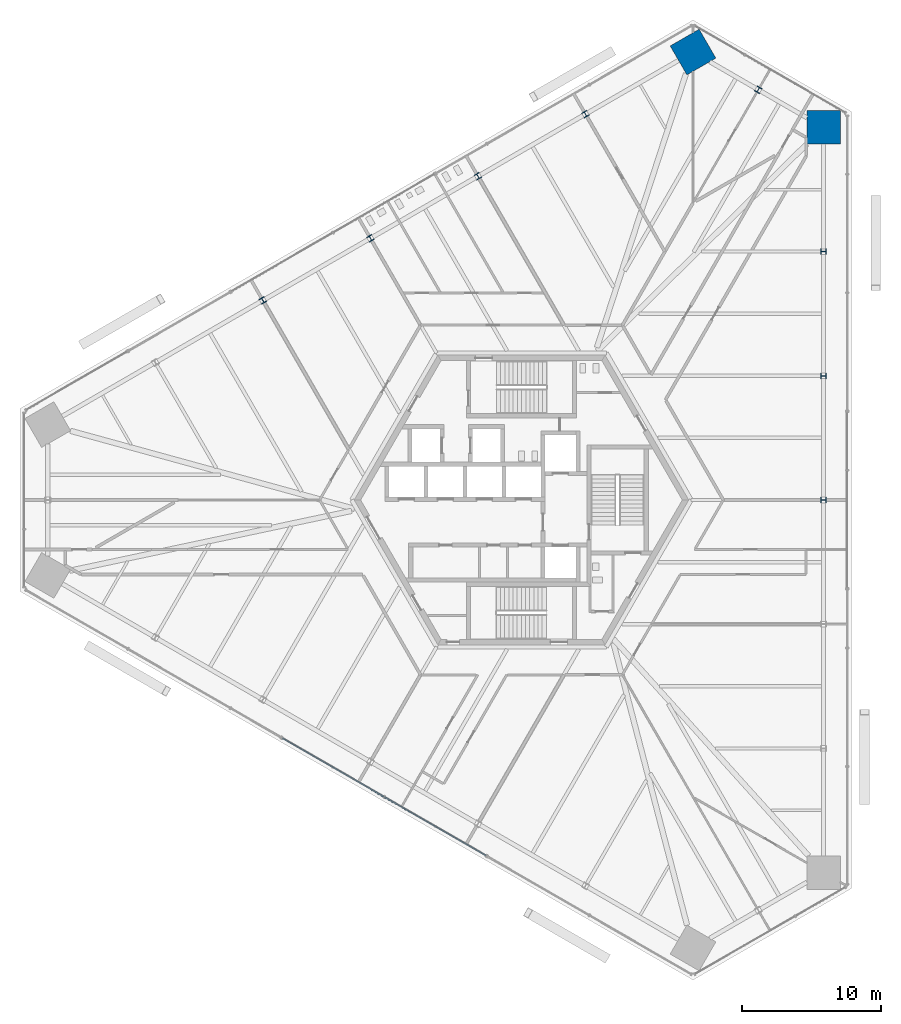
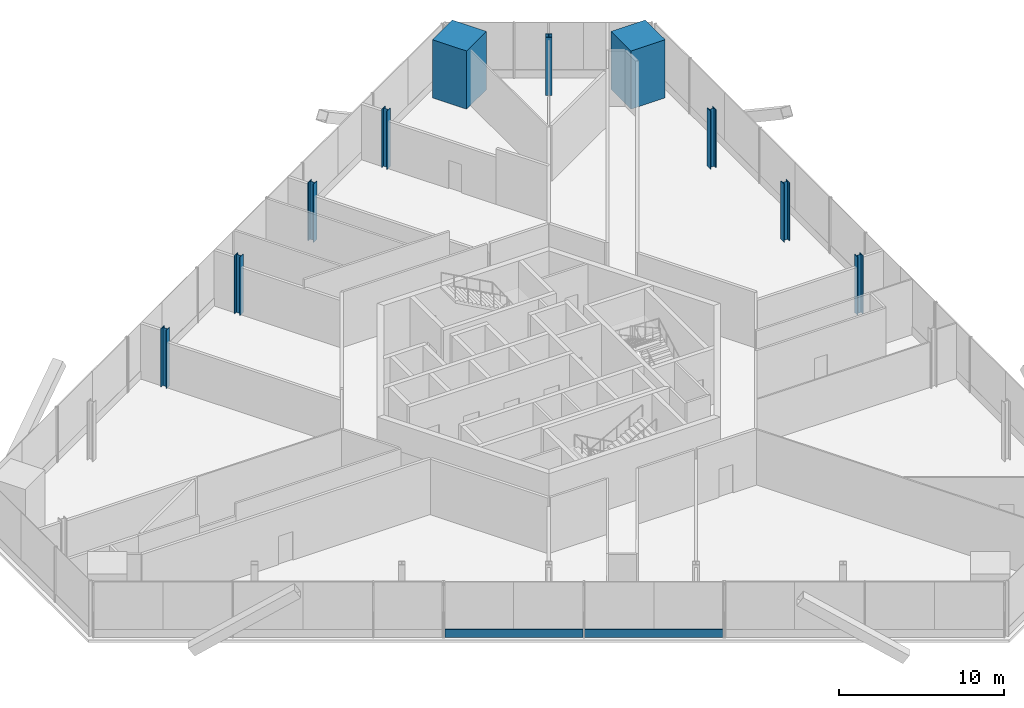
# One storey, part 2 of 16: 10 columns, 2 members, 1 element without a shape of its own.
"""IFC4 building model written with IfcOpenShell, lengths in metres."""

from ifc_helpers import new_model, si_unit, direction, frame, origin, origin_2d, place, context, subcontext, project, spatial, rectangle, i_section, extrude, source, transform, mapped, material, material_profile, profile_set, type_object, element, aggregate, save


model = new_model("IFC4")

# Units and contexts
model_context = context("Model", 3, precision=1e-05, world=origin(), true_north=direction((0.0, 1.0)))
body_context = subcontext(model_context, "Body", "Model", "MODEL_VIEW")
ifc_project = project(units=[si_unit("LENGTHUNIT", "METRE"), si_unit("AREAUNIT", "SQUARE_METRE"), si_unit("VOLUMEUNIT", "CUBIC_METRE"), si_unit("PLANEANGLEUNIT", "RADIAN"), si_unit("MASSUNIT", "GRAM", prefix="KILO")], contexts=[model_context])

# Site, building, storey
site_placement = place(None, origin())
site = spatial("IfcSite", under=ifc_project, at=site_placement, CompositionType="ELEMENT")
building_placement = place(site_placement, origin())
building = spatial("IfcBuilding", under=site, at=building_placement, Name="Triune Harvest Tower", CompositionType="ELEMENT")
storey_placement = place(building_placement, frame((0.0, 0.0, 20.300048828125)))
storey = spatial("IfcBuildingStorey", under=building, at=storey_placement, Name="L04", CompositionType="ELEMENT", Elevation=20.300048828125)

# Columns
ifc_material_1 = material(Name="Concrete 70 MPa", Category="concrete")
ifc_material_profile_1 = material_profile(ifc_material_1, rectangle(XDim=2.39990234375, YDim=2.39990234375, at=origin_2d()), Name="Composite 2400x2400")
ifc_profile_set_1 = profile_set([ifc_material_profile_1], Name="Concrete 70 MPa")
column_type_1 = type_object("IfcColumnType", Name="MC-1 Mega column Composite 2400x2400", PredefinedType="COLUMN", material=ifc_profile_set_1)
shared_shape_1 = source(origin(), body_context, "Body", "SweptSolid", [
    extrude(rectangle(XDim=2.39990234375, YDim=2.39990234375, at=origin_2d()), origin(), (0.0, 0.0, 1.0), 4.300048828125),
])
for number, where, z_axis, x_axis, name in (
    (1, (21.679443359375, 26.72998046875, 0.0), (0.0, 0.0, 1.0), (0.0, 1.0, 0.0), "col/L04/M6"),
    (2, (12.30908203125, 32.139892578125, 0.0), (0.0, 0.0, 1.0), (-0.866025403784, -0.5, 0.0), "col/L04/M8"),
):
    element("IfcColumn", number, at=place(storey_placement, frame(where, z_axis=z_axis, x_axis=x_axis)), inside=storey, type_object=column_type_1, Name=name, PredefinedType="COLUMN", context=body_context, shape_type="MappedRepresentation", body=[
        mapped(shared_shape_1, transform((0.0, 0.0, 0.0), scale=1.0)),
    ])
ifc_material_2 = material(Name="Steel ASTM A992 Gr 50", Category="steel")
ifc_material_profile_2 = material_profile(ifc_material_2, i_section(OverallWidth=0.40380859375, OverallDepth=0.406494140625, WebThickness=0.027099609375, FlangeThickness=0.043701171875, at=origin_2d()), Name="W14x233")
ifc_profile_set_2 = profile_set([ifc_material_profile_2], Name="Steel ASTM A992 Gr 50")
column_type_2 = type_object("IfcColumnType", Name="PC-1 Perimeter column W14x233", PredefinedType="COLUMN", material=ifc_profile_set_2)
shared_shape_2 = source(origin(), body_context, "Body", "SweptSolid", [
    extrude(i_section(OverallWidth=0.40380859375, OverallDepth=0.406494140625, WebThickness=0.027099609375, FlangeThickness=0.043701171875, at=origin_2d()), origin(), (0.0, 0.0, 1.0), 4.300048828125),
])
for number, where, z_axis, x_axis, name in (
    (3, (21.679443359375, 0.0, 0.0), (0.0, 0.0, 1.0), (0.0, 1.0, 0.0), "col/L04/P3"),
    (4, (21.679443359375, 8.909912109375, 0.0), (0.0, 0.0, 1.0), (0.0, 1.0, 0.0), "col/L04/P4"),
    (5, (21.679443359375, 17.820068359375, 0.0), (0.0, 0.0, 1.0), (0.0, 1.0, 0.0), "col/L04/P5"),
    (6, (16.994384765625, 29.43505859375, 0.0), (0.0, 0.0, 1.0), (-0.866026276448, 0.4999984885, 0.0), "col/L04/P7"),
    (7, (4.5927734375, 27.68505859375, 0.0), (0.0, 0.0, 1.0), (-0.866025403784, -0.5, 0.0), "col/L04/P9"),
    (8, (-3.12353515625, 23.22998046875, 0.0), (0.0, 0.0, 1.0), (-0.866025403784, -0.5, 0.0), "col/L04/P10"),
    (9, (-10.839599609375, 18.77490234375, 0.0), (0.0, 0.0, 1.0), (-0.866025403784, -0.5, 0.0), "col/L04/P11"),
    (10, (-18.555908203125, 14.320068359375, 0.0), (0.0, 0.0, 1.0), (-0.866025403784, -0.5, 0.0), "col/L04/P12"),
):
    element("IfcColumn", number, at=place(storey_placement, frame(where, z_axis=z_axis, x_axis=x_axis)), inside=storey, type_object=column_type_2, Name=name, PredefinedType="COLUMN", context=body_context, shape_type="MappedRepresentation", body=[
        mapped(shared_shape_2, transform((0.0, 0.0, 0.0), scale=1.0)),
    ])

# Curtain wall, members
ifc_material_3 = material(Name="Aluminium bronze anodised", Category="aluminium")
curtain_wall_type = type_object("IfcCurtainWallType", Name="CW-3 Farm floor curtain wall", PredefinedType="NOTDEFINED", material=ifc_material_3)
curtain_wall_placement = place(storey_placement, origin())
curtain_wall = element("IfcCurtainWall", 11, at=curtain_wall_placement, inside=storey, type_object=curtain_wall_type, Name="CW-3 B1-F5 L04 run 1001")
ifc_material_4 = material(Name="Aluminium bronze anodised", Category="aluminium")
ifc_material_profile_3 = material_profile(ifc_material_4, rectangle(XDim=0.090087890625, YDim=0.60009765625, at=origin_2d()), Name="TR-3 transom 90 x 600")
ifc_profile_set_3 = profile_set([ifc_material_profile_3], Name="Aluminium bronze anodised")
member_type = type_object("IfcMemberType", Name="TR-3 transom 90 x 600", PredefinedType="USERDEFINED", material=ifc_profile_set_3)
shared_shape_3 = source(origin(), body_context, "Body", "SweptSolid", [
    extrude(rectangle(XDim=0.090087890625, YDim=0.60009765625, at=origin_2d()), origin(), (0.0, 0.0, 1.0), 8.37744140625),
])
member_1_placement = place(storey_placement, frame((-9.811279296875, -21.322265625, 0.300048828125), z_axis=(0.866026892193, -0.499997421992, 0.0), x_axis=(0.499997421992, 0.866026892193, 0.0)))
member_1 = element("IfcMember", 12, at=member_1_placement, type_object=member_type, Name="CW-3 transom B1-F5 1001.2", ObjectType="TRANSOM", PredefinedType="USERDEFINED", context=body_context, shape_type="MappedRepresentation", body=[
    mapped(shared_shape_3, transform((0.0, 0.0, 0.0), scale=1.0)),
])
shared_shape_4 = source(origin(), body_context, "Body", "SweptSolid", [
    extrude(rectangle(XDim=0.090087890625, YDim=0.60009765625, at=origin_2d()), origin(), (0.0, 0.0, 1.0), 8.377685546875),
])
member_2_placement = place(storey_placement, frame((-17.1357421875, -17.093505859375, 0.300048828125), z_axis=(0.866014273083, -0.500019278445, 0.0), x_axis=(0.500019278445, 0.866014273083, 0.0)))
member_2 = element("IfcMember", 13, at=member_2_placement, type_object=member_type, Name="CW-3 transom B1-F5 1001.1", ObjectType="TRANSOM", PredefinedType="USERDEFINED", context=body_context, shape_type="MappedRepresentation", body=[
    mapped(shared_shape_4, transform((0.0, 0.0, 0.0), scale=1.0)),
])
aggregate(curtain_wall, [member_2, member_1])

save(model, "model.ifc")
